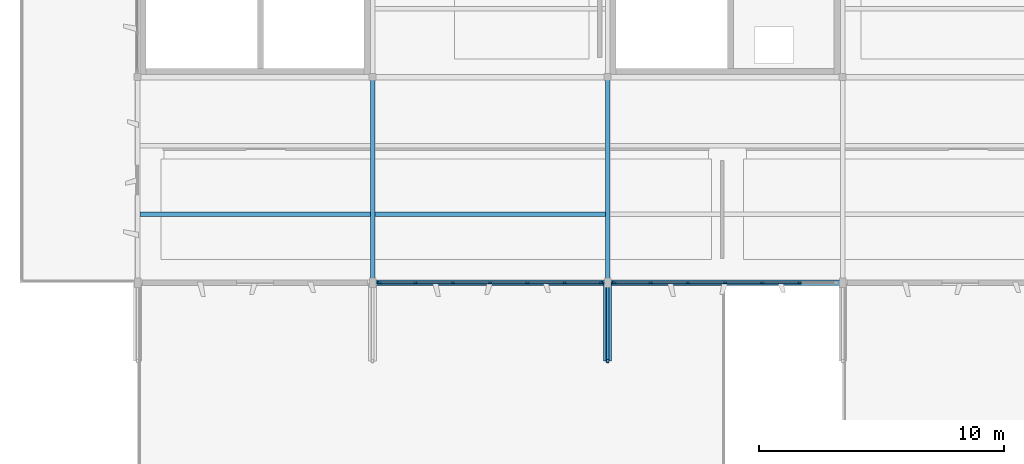
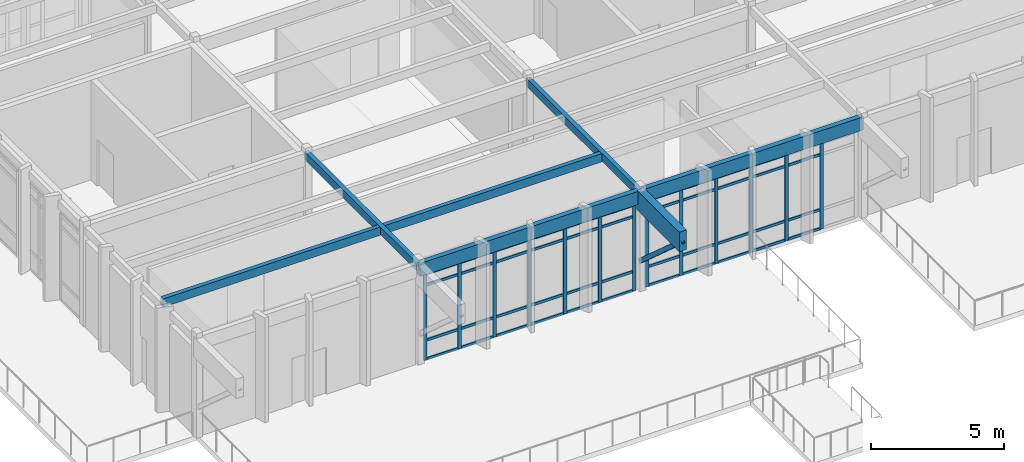
# One storey, part 2 of 19: 57 members, 7 beams, 2 elements without a shape of their own.
"""IFC4 building model written with IfcOpenShell, lengths in metres."""

from ifc_helpers import new_model, si_unit, direction, frame, origin, origin_2d, place, context, subcontext, project, spatial, rectangle, hollow_rectangle, extrude, material, layer, layer_set, material_profile, profile_set, type_object, element, aggregate, save


model = new_model("IFC4")

# Units and contexts
model_context = context("Model", 3, precision=1e-05, world=origin(), true_north=direction((0.0, 1.0)))
body_context = subcontext(model_context, "Body", "Model", "MODEL_VIEW")
ifc_project = project(units=[si_unit("LENGTHUNIT", "METRE"), si_unit("AREAUNIT", "SQUARE_METRE"), si_unit("VOLUMEUNIT", "CUBIC_METRE"), si_unit("PLANEANGLEUNIT", "RADIAN"), si_unit("MASSUNIT", "GRAM", prefix="KILO")], contexts=[model_context])

# Site, building, storey
site_placement = place(None, origin())
site = spatial("IfcSite", under=ifc_project, at=site_placement, CompositionType="ELEMENT")
building_placement = place(site_placement, origin())
building = spatial("IfcBuilding", under=site, at=building_placement, Name="Kolvemor Railside Polytechnic", CompositionType="ELEMENT")
storey_placement = place(building_placement, frame((0.0, 0.0, 27.0)))
storey = spatial("IfcBuildingStorey", under=building, at=storey_placement, Name="L06", CompositionType="ELEMENT", Elevation=27.0)

# Beams
ifc_material_1 = material(Name="Glulam GL28h", Category="wood")
ifc_material_profile_1 = material_profile(ifc_material_1, rectangle(XDim=0.31494140625, YDim=0.89990234375, at=origin_2d()), Name="GL315x900")
ifc_profile_set_1 = profile_set([ifc_material_profile_1], Name="Glulam GL28h")
beam_type_1 = type_object("IfcBeamType", Name="BM-GL-CANT", PredefinedType="BEAM", material=ifc_profile_set_1)
beam_1_placement = place(storey_placement, frame((86.39990234375, 10.0, 4.114990234375), z_axis=(0.0, 1.0, 0.0), x_axis=(-1.0, 0.0, 0.0)))
element("IfcBeam", 1, at=beam_1_placement, inside=storey, type_object=beam_type_1, Name="Cantilever Outrigger RF-GYC 1777", PredefinedType="BEAM", context=body_context, shape_type="SweptSolid", body=[
    extrude(rectangle(XDim=0.31494140625, YDim=0.89990234375, at=origin_2d()), origin(), (0.0, 0.0, 1.0), 3.199951171875),
])
ifc_material_2 = material(Name="Glulam GL28h", Category="wood")
ifc_material_profile_2 = material_profile(ifc_material_2, rectangle(XDim=0.215087890625, YDim=0.60009765625, at=origin_2d()), Name="GL215x600")
ifc_profile_set_2 = profile_set([ifc_material_profile_2], Name="Glulam GL28h")
beam_type_2 = type_object("IfcBeamType", Name="BM-GL-EAVE", PredefinedType="BEAM", material=ifc_profile_set_2)
beam_2_placement = place(storey_placement, frame((76.800048828125, 13.199951171875, 4.264892578125), z_axis=(1.0, 0.0, 0.0), x_axis=(0.0, 1.0, 0.0)))
element("IfcBeam", 2, at=beam_2_placement, inside=storey, type_object=beam_type_2, Name="Primary Girder RF-GX 1741", PredefinedType="BEAM", context=body_context, shape_type="SweptSolid", body=[
    extrude(rectangle(XDim=0.215087890625, YDim=0.60009765625, at=origin_2d()), origin(), (0.0, 0.0, 1.0), 9.599853515625),
])
beam_3_placement = place(storey_placement, frame((86.39990234375, 13.199951171875, 4.264892578125), z_axis=(1.0, 0.0, 0.0), x_axis=(0.0, 1.0, 0.0)))
element("IfcBeam", 3, at=beam_3_placement, inside=storey, type_object=beam_type_2, Name="Primary Girder RF-GX 1742", PredefinedType="BEAM", context=body_context, shape_type="SweptSolid", body=[
    extrude(rectangle(XDim=0.215087890625, YDim=0.60009765625, at=origin_2d()), origin(), (0.0, 0.0, 1.0), 9.60009765625),
])
ifc_material_3 = material(Name="Glulam GL28h", Category="wood")
ifc_material_profile_3 = material_profile(ifc_material_3, rectangle(XDim=0.18505859375, YDim=0.3798828125, at=origin_2d()), Name="GL185x380")
ifc_profile_set_3 = profile_set([ifc_material_profile_3], Name="Glulam GL28h")
beam_type_3 = type_object("IfcBeamType", Name="BM-GL-JST6", PredefinedType="JOIST", material=ifc_profile_set_3)
for number, where, z_axis, x_axis, name in (
    (4, (67.2919921875, 16.0, 4.375), (1.0, 0.0, 0.0), (0.0, 1.0, 0.0), "Floor Joist RF-J1802"),
    (5, (76.89208984375, 16.0, 4.375), (1.0, 0.0, 0.0), (0.0, 1.0, 0.0), "Floor Joist RF-J1806"),
):
    element("IfcBeam", number, at=place(storey_placement, frame(where, z_axis=z_axis, x_axis=x_axis)), inside=storey, type_object=beam_type_3, Name=name, PredefinedType="JOIST", context=body_context, shape_type="SweptSolid", body=[
        extrude(rectangle(XDim=0.18505859375, YDim=0.3798828125, at=origin_2d()), origin(), (0.0, 0.0, 1.0), 9.416015625),
    ])
ifc_material_4 = material(Name="Glulam GL28h", Category="wood")
ifc_material_profile_4 = material_profile(ifc_material_4, rectangle(XDim=0.18505859375, YDim=0.360107421875, at=origin_2d()), Name="GL185x360")
ifc_profile_set_4 = profile_set([ifc_material_profile_4], Name="Glulam GL28h")
beam_type_4 = type_object("IfcBeamType", Name="BM-GL-TRIM", PredefinedType="LINTEL", material=ifc_profile_set_4)
for number, where, z_axis, x_axis, name in (
    (6, (76.800048828125, 13.199951171875, 4.385009765625), (0.0, 1.0, 0.0), (-1.0, 0.0, 0.0), "Primary Girder RF-GY 1767"),
    (7, (86.39990234375, 13.199951171875, 4.385009765625), (0.0, 1.0, 0.0), (-1.0, 0.0, 0.0), "Primary Girder RF-GY 1774"),
):
    element("IfcBeam", number, at=place(storey_placement, frame(where, z_axis=z_axis, x_axis=x_axis)), inside=storey, type_object=beam_type_4, Name=name, PredefinedType="LINTEL", context=body_context, shape_type="SweptSolid", body=[
        extrude(rectangle(XDim=0.18505859375, YDim=0.360107421875, at=origin_2d()), origin(), (0.0, 0.0, 1.0), 8.400146484375),
    ])

# Curtain wall, members
ifc_material_5 = material(Name="Anodised marine aluminium and laminated low-E glass", Category="aluminium")
ifc_layer = layer(ifc_material_5, 0.179931640625, Name="CW-STICK-LIB")
ifc_layer_set = layer_set([ifc_layer], Name="Anodised marine aluminium and laminated low-E glass")
curtain_wall_type = type_object("IfcCurtainWallType", Name="CW-STICK-LIB", PredefinedType="USERDEFINED", material=ifc_layer_set)
curtain_wall_1_placement = place(storey_placement, origin())
curtain_wall_1 = element("IfcCurtainWall", 8, at=curtain_wall_1_placement, inside=storey, type_object=curtain_wall_type, Name="Curtain Wall L06-142", ObjectType="STICK GLAZED SCREEN", PredefinedType="USERDEFINED")
ifc_material_6 = material(Name="Anodised marine aluminium 6063-T6", Category="aluminium")
ifc_material_profile_5 = material_profile(ifc_material_6, rectangle(XDim=0.06494140625, YDim=0.14990234375, at=origin_2d()), Name="CW-MUL-65x150")
ifc_profile_set_5 = profile_set([ifc_material_profile_5], Name="Anodised marine aluminium 6063-T6")
member_type_1 = type_object("IfcMemberType", Name="CWM-65x150", PredefinedType="MULLION", material=ifc_profile_set_5)
member_1_placement = place(storey_placement, frame((77.072509765625, 13.199951171875, 0.0), z_axis=(0.0, 0.0, 1.0), x_axis=(0.0, 1.0, 0.0)))
member_1 = element("IfcMember", 9, at=member_1_placement, type_object=member_type_1, Name="CW-LIB mullion 1", PredefinedType="MULLION", context=body_context, shape_type="SweptSolid", body=[
    extrude(rectangle(XDim=0.06494140625, YDim=0.14990234375, at=origin_2d()), origin(), (0.0, 0.0, 1.0), 3.965087890625),
])
member_2_placement = place(storey_placement, frame((78.56005859375, 13.199951171875, 0.0), z_axis=(0.0, 0.0, 1.0), x_axis=(0.0, 1.0, 0.0)))
member_2 = element("IfcMember", 10, at=member_2_placement, type_object=member_type_1, Name="CW-LIB mullion 2", PredefinedType="MULLION", context=body_context, shape_type="SweptSolid", body=[
    extrude(rectangle(XDim=0.06494140625, YDim=0.14990234375, at=origin_2d()), origin(), (0.0, 0.0, 1.0), 3.965087890625),
])
member_3_placement = place(storey_placement, frame((80.080078125, 13.199951171875, 0.0), z_axis=(0.0, 0.0, 1.0), x_axis=(0.0, 1.0, 0.0)))
member_3 = element("IfcMember", 11, at=member_3_placement, type_object=member_type_1, Name="CW-LIB mullion 3", PredefinedType="MULLION", context=body_context, shape_type="SweptSolid", body=[
    extrude(rectangle(XDim=0.06494140625, YDim=0.14990234375, at=origin_2d()), origin(), (0.0, 0.0, 1.0), 3.965087890625),
])
member_4_placement = place(storey_placement, frame((81.60009765625, 13.199951171875, 0.0), z_axis=(0.0, 0.0, 1.0), x_axis=(0.0, 1.0, 0.0)))
member_4 = element("IfcMember", 12, at=member_4_placement, type_object=member_type_1, Name="CW-LIB mullion 4", PredefinedType="MULLION", context=body_context, shape_type="SweptSolid", body=[
    extrude(rectangle(XDim=0.06494140625, YDim=0.14990234375, at=origin_2d()), origin(), (0.0, 0.0, 1.0), 3.965087890625),
])
member_5_placement = place(storey_placement, frame((83.1201171875, 13.199951171875, 0.0), z_axis=(0.0, 0.0, 1.0), x_axis=(0.0, 1.0, 0.0)))
member_5 = element("IfcMember", 13, at=member_5_placement, type_object=member_type_1, Name="CW-LIB mullion 5", PredefinedType="MULLION", context=body_context, shape_type="SweptSolid", body=[
    extrude(rectangle(XDim=0.06494140625, YDim=0.14990234375, at=origin_2d()), origin(), (0.0, 0.0, 1.0), 3.965087890625),
])
member_6_placement = place(storey_placement, frame((84.639892578125, 13.199951171875, 0.0), z_axis=(0.0, 0.0, 1.0), x_axis=(0.0, 1.0, 0.0)))
member_6 = element("IfcMember", 14, at=member_6_placement, type_object=member_type_1, Name="CW-LIB mullion 6", PredefinedType="MULLION", context=body_context, shape_type="SweptSolid", body=[
    extrude(rectangle(XDim=0.06494140625, YDim=0.14990234375, at=origin_2d()), origin(), (0.0, 0.0, 1.0), 3.965087890625),
])
member_7_placement = place(storey_placement, frame((86.12744140625, 13.199951171875, 0.0), z_axis=(0.0, 0.0, 1.0), x_axis=(0.0, 1.0, 0.0)))
member_7 = element("IfcMember", 15, at=member_7_placement, type_object=member_type_1, Name="CW-LIB mullion 7", PredefinedType="MULLION", context=body_context, shape_type="SweptSolid", body=[
    extrude(rectangle(XDim=0.06494140625, YDim=0.14990234375, at=origin_2d()), origin(), (0.0, 0.0, 1.0), 3.965087890625),
])

curtain_wall_2_placement = place(storey_placement, origin())
curtain_wall_2 = element("IfcCurtainWall", 16, at=curtain_wall_2_placement, inside=storey, type_object=curtain_wall_type, Name="Curtain Wall L06-144", ObjectType="STICK GLAZED SCREEN", PredefinedType="USERDEFINED")
member_8_placement = place(storey_placement, frame((86.672607421875, 13.199951171875, 0.0), z_axis=(0.0, 0.0, 1.0), x_axis=(0.0, 1.0, 0.0)))
member_8 = element("IfcMember", 17, at=member_8_placement, type_object=member_type_1, Name="CW-LIB mullion 1", PredefinedType="MULLION", context=body_context, shape_type="SweptSolid", body=[
    extrude(rectangle(XDim=0.06494140625, YDim=0.14990234375, at=origin_2d()), origin(), (0.0, 0.0, 1.0), 3.965087890625),
])
member_9_placement = place(storey_placement, frame((88.159912109375, 13.199951171875, 0.0), z_axis=(0.0, 0.0, 1.0), x_axis=(0.0, 1.0, 0.0)))
member_9 = element("IfcMember", 18, at=member_9_placement, type_object=member_type_1, Name="CW-LIB mullion 2", PredefinedType="MULLION", context=body_context, shape_type="SweptSolid", body=[
    extrude(rectangle(XDim=0.06494140625, YDim=0.14990234375, at=origin_2d()), origin(), (0.0, 0.0, 1.0), 3.965087890625),
])
member_10_placement = place(storey_placement, frame((89.679931640625, 13.199951171875, 0.0), z_axis=(0.0, 0.0, 1.0), x_axis=(0.0, 1.0, 0.0)))
member_10 = element("IfcMember", 19, at=member_10_placement, type_object=member_type_1, Name="CW-LIB mullion 3", PredefinedType="MULLION", context=body_context, shape_type="SweptSolid", body=[
    extrude(rectangle(XDim=0.06494140625, YDim=0.14990234375, at=origin_2d()), origin(), (0.0, 0.0, 1.0), 3.965087890625),
])
member_11_placement = place(storey_placement, frame((91.199951171875, 13.199951171875, 0.0), z_axis=(0.0, 0.0, 1.0), x_axis=(0.0, 1.0, 0.0)))
member_11 = element("IfcMember", 20, at=member_11_placement, type_object=member_type_1, Name="CW-LIB mullion 4", PredefinedType="MULLION", context=body_context, shape_type="SweptSolid", body=[
    extrude(rectangle(XDim=0.06494140625, YDim=0.14990234375, at=origin_2d()), origin(), (0.0, 0.0, 1.0), 3.965087890625),
])
member_12_placement = place(storey_placement, frame((92.719970703125, 13.199951171875, 0.0), z_axis=(0.0, 0.0, 1.0), x_axis=(0.0, 1.0, 0.0)))
member_12 = element("IfcMember", 21, at=member_12_placement, type_object=member_type_1, Name="CW-LIB mullion 5", PredefinedType="MULLION", context=body_context, shape_type="SweptSolid", body=[
    extrude(rectangle(XDim=0.06494140625, YDim=0.14990234375, at=origin_2d()), origin(), (0.0, 0.0, 1.0), 3.965087890625),
])
member_13_placement = place(storey_placement, frame((94.239990234375, 13.199951171875, 0.0), z_axis=(0.0, 0.0, 1.0), x_axis=(0.0, 1.0, 0.0)))
member_13 = element("IfcMember", 22, at=member_13_placement, type_object=member_type_1, Name="CW-LIB mullion 6", PredefinedType="MULLION", context=body_context, shape_type="SweptSolid", body=[
    extrude(rectangle(XDim=0.06494140625, YDim=0.14990234375, at=origin_2d()), origin(), (0.0, 0.0, 1.0), 3.965087890625),
])

# Member
ifc_material_7 = material(Name="Anodised marine aluminium 6063-T6", Category="aluminium")
ifc_material_profile_6 = material_profile(ifc_material_7, rectangle(XDim=0.06494140625, YDim=0.1201171875, at=origin_2d()), Name="CW-TRN-65x120")
ifc_profile_set_6 = profile_set([ifc_material_profile_6], Name="Anodised marine aluminium 6063-T6")
member_type_2 = type_object("IfcMemberType", Name="CWT-65x120", PredefinedType="USERDEFINED", material=ifc_profile_set_6)
member_14_placement = place(storey_placement, frame((77.10498046875, 13.199951171875, 0.032470703125), z_axis=(1.0, 0.0, 0.0), x_axis=(0.0, 1.0, 0.0)))
member_14 = element("IfcMember", 23, at=member_14_placement, type_object=member_type_2, Name="CW-LIB transom 1.1", ObjectType="TRANSOM", PredefinedType="USERDEFINED", context=body_context, shape_type="SweptSolid", body=[
    extrude(rectangle(XDim=0.06494140625, YDim=0.1201171875, at=origin_2d()), origin(), (0.0, 0.0, 1.0), 1.422607421875),
])

member_15_placement = place(storey_placement, frame((77.10498046875, 13.199951171875, 0.89990234375), z_axis=(1.0, 0.0, 0.0), x_axis=(0.0, 1.0, 0.0)))
member_15 = element("IfcMember", 24, at=member_15_placement, type_object=member_type_2, Name="CW-LIB transom 1.2", ObjectType="TRANSOM", PredefinedType="USERDEFINED", context=body_context, shape_type="SweptSolid", body=[
    extrude(rectangle(XDim=0.06494140625, YDim=0.1201171875, at=origin_2d()), origin(), (0.0, 0.0, 1.0), 1.422607421875),
])

member_16_placement = place(storey_placement, frame((77.10498046875, 13.199951171875, 3.4150390625), z_axis=(1.0, 0.0, 0.0), x_axis=(0.0, 1.0, 0.0)))
member_16 = element("IfcMember", 25, at=member_16_placement, type_object=member_type_2, Name="CW-LIB transom 1.3", ObjectType="TRANSOM", PredefinedType="USERDEFINED", context=body_context, shape_type="SweptSolid", body=[
    extrude(rectangle(XDim=0.06494140625, YDim=0.1201171875, at=origin_2d()), origin(), (0.0, 0.0, 1.0), 1.422607421875),
])

member_17_placement = place(storey_placement, frame((77.10498046875, 13.199951171875, 3.9326171875), z_axis=(1.0, 0.0, 0.0), x_axis=(0.0, 1.0, 0.0)))
member_17 = element("IfcMember", 26, at=member_17_placement, type_object=member_type_2, Name="CW-LIB transom 1.4", ObjectType="TRANSOM", PredefinedType="USERDEFINED", context=body_context, shape_type="SweptSolid", body=[
    extrude(rectangle(XDim=0.06494140625, YDim=0.1201171875, at=origin_2d()), origin(), (0.0, 0.0, 1.0), 1.422607421875),
])

member_18_placement = place(storey_placement, frame((78.592529296875, 13.199951171875, 0.032470703125), z_axis=(1.0, 0.0, 0.0), x_axis=(0.0, 1.0, 0.0)))
member_18 = element("IfcMember", 27, at=member_18_placement, type_object=member_type_2, Name="CW-LIB transom 2.1", ObjectType="TRANSOM", PredefinedType="USERDEFINED", context=body_context, shape_type="SweptSolid", body=[
    extrude(rectangle(XDim=0.06494140625, YDim=0.1201171875, at=origin_2d()), origin(), (0.0, 0.0, 1.0), 1.455078125),
])

member_19_placement = place(storey_placement, frame((78.592529296875, 13.199951171875, 0.89990234375), z_axis=(1.0, 0.0, 0.0), x_axis=(0.0, 1.0, 0.0)))
member_19 = element("IfcMember", 28, at=member_19_placement, type_object=member_type_2, Name="CW-LIB transom 2.2", ObjectType="TRANSOM", PredefinedType="USERDEFINED", context=body_context, shape_type="SweptSolid", body=[
    extrude(rectangle(XDim=0.06494140625, YDim=0.1201171875, at=origin_2d()), origin(), (0.0, 0.0, 1.0), 1.455078125),
])

member_20_placement = place(storey_placement, frame((78.592529296875, 13.199951171875, 3.4150390625), z_axis=(1.0, 0.0, 0.0), x_axis=(0.0, 1.0, 0.0)))
member_20 = element("IfcMember", 29, at=member_20_placement, type_object=member_type_2, Name="CW-LIB transom 2.3", ObjectType="TRANSOM", PredefinedType="USERDEFINED", context=body_context, shape_type="SweptSolid", body=[
    extrude(rectangle(XDim=0.06494140625, YDim=0.1201171875, at=origin_2d()), origin(), (0.0, 0.0, 1.0), 1.455078125),
])

member_21_placement = place(storey_placement, frame((78.592529296875, 13.199951171875, 3.9326171875), z_axis=(1.0, 0.0, 0.0), x_axis=(0.0, 1.0, 0.0)))
member_21 = element("IfcMember", 30, at=member_21_placement, type_object=member_type_2, Name="CW-LIB transom 2.4", ObjectType="TRANSOM", PredefinedType="USERDEFINED", context=body_context, shape_type="SweptSolid", body=[
    extrude(rectangle(XDim=0.06494140625, YDim=0.1201171875, at=origin_2d()), origin(), (0.0, 0.0, 1.0), 1.455078125),
])

member_22_placement = place(storey_placement, frame((80.112548828125, 13.199951171875, 0.032470703125), z_axis=(1.0, 0.0, 0.0), x_axis=(0.0, 1.0, 0.0)))
member_22 = element("IfcMember", 31, at=member_22_placement, type_object=member_type_2, Name="CW-LIB transom 3.1", ObjectType="TRANSOM", PredefinedType="USERDEFINED", context=body_context, shape_type="SweptSolid", body=[
    extrude(rectangle(XDim=0.06494140625, YDim=0.1201171875, at=origin_2d()), origin(), (0.0, 0.0, 1.0), 1.454833984375),
])

member_23_placement = place(storey_placement, frame((80.112548828125, 13.199951171875, 0.89990234375), z_axis=(1.0, 0.0, 0.0), x_axis=(0.0, 1.0, 0.0)))
member_23 = element("IfcMember", 32, at=member_23_placement, type_object=member_type_2, Name="CW-LIB transom 3.2", ObjectType="TRANSOM", PredefinedType="USERDEFINED", context=body_context, shape_type="SweptSolid", body=[
    extrude(rectangle(XDim=0.06494140625, YDim=0.1201171875, at=origin_2d()), origin(), (0.0, 0.0, 1.0), 1.454833984375),
])

member_24_placement = place(storey_placement, frame((80.112548828125, 13.199951171875, 3.4150390625), z_axis=(1.0, 0.0, 0.0), x_axis=(0.0, 1.0, 0.0)))
member_24 = element("IfcMember", 33, at=member_24_placement, type_object=member_type_2, Name="CW-LIB transom 3.3", ObjectType="TRANSOM", PredefinedType="USERDEFINED", context=body_context, shape_type="SweptSolid", body=[
    extrude(rectangle(XDim=0.06494140625, YDim=0.1201171875, at=origin_2d()), origin(), (0.0, 0.0, 1.0), 1.454833984375),
])

member_25_placement = place(storey_placement, frame((80.112548828125, 13.199951171875, 3.9326171875), z_axis=(1.0, 0.0, 0.0), x_axis=(0.0, 1.0, 0.0)))
member_25 = element("IfcMember", 34, at=member_25_placement, type_object=member_type_2, Name="CW-LIB transom 3.4", ObjectType="TRANSOM", PredefinedType="USERDEFINED", context=body_context, shape_type="SweptSolid", body=[
    extrude(rectangle(XDim=0.06494140625, YDim=0.1201171875, at=origin_2d()), origin(), (0.0, 0.0, 1.0), 1.454833984375),
])

member_26_placement = place(storey_placement, frame((81.632568359375, 13.199951171875, 0.032470703125), z_axis=(1.0, 0.0, 0.0), x_axis=(0.0, 1.0, 0.0)))
member_26 = element("IfcMember", 35, at=member_26_placement, type_object=member_type_2, Name="CW-LIB transom 4.1", ObjectType="TRANSOM", PredefinedType="USERDEFINED", context=body_context, shape_type="SweptSolid", body=[
    extrude(rectangle(XDim=0.06494140625, YDim=0.1201171875, at=origin_2d()), origin(), (0.0, 0.0, 1.0), 1.454833984375),
])

member_27_placement = place(storey_placement, frame((81.632568359375, 13.199951171875, 0.89990234375), z_axis=(1.0, 0.0, 0.0), x_axis=(0.0, 1.0, 0.0)))
member_27 = element("IfcMember", 36, at=member_27_placement, type_object=member_type_2, Name="CW-LIB transom 4.2", ObjectType="TRANSOM", PredefinedType="USERDEFINED", context=body_context, shape_type="SweptSolid", body=[
    extrude(rectangle(XDim=0.06494140625, YDim=0.1201171875, at=origin_2d()), origin(), (0.0, 0.0, 1.0), 1.454833984375),
])

member_28_placement = place(storey_placement, frame((81.632568359375, 13.199951171875, 3.4150390625), z_axis=(1.0, 0.0, 0.0), x_axis=(0.0, 1.0, 0.0)))
member_28 = element("IfcMember", 37, at=member_28_placement, type_object=member_type_2, Name="CW-LIB transom 4.3", ObjectType="TRANSOM", PredefinedType="USERDEFINED", context=body_context, shape_type="SweptSolid", body=[
    extrude(rectangle(XDim=0.06494140625, YDim=0.1201171875, at=origin_2d()), origin(), (0.0, 0.0, 1.0), 1.454833984375),
])

member_29_placement = place(storey_placement, frame((81.632568359375, 13.199951171875, 3.9326171875), z_axis=(1.0, 0.0, 0.0), x_axis=(0.0, 1.0, 0.0)))
member_29 = element("IfcMember", 38, at=member_29_placement, type_object=member_type_2, Name="CW-LIB transom 4.4", ObjectType="TRANSOM", PredefinedType="USERDEFINED", context=body_context, shape_type="SweptSolid", body=[
    extrude(rectangle(XDim=0.06494140625, YDim=0.1201171875, at=origin_2d()), origin(), (0.0, 0.0, 1.0), 1.454833984375),
])

member_30_placement = place(storey_placement, frame((83.152587890625, 13.199951171875, 0.032470703125), z_axis=(1.0, 0.0, 0.0), x_axis=(0.0, 1.0, 0.0)))
member_30 = element("IfcMember", 39, at=member_30_placement, type_object=member_type_2, Name="CW-LIB transom 5.1", ObjectType="TRANSOM", PredefinedType="USERDEFINED", context=body_context, shape_type="SweptSolid", body=[
    extrude(rectangle(XDim=0.06494140625, YDim=0.1201171875, at=origin_2d()), origin(), (0.0, 0.0, 1.0), 1.454833984375),
])

member_31_placement = place(storey_placement, frame((83.152587890625, 13.199951171875, 0.89990234375), z_axis=(1.0, 0.0, 0.0), x_axis=(0.0, 1.0, 0.0)))
member_31 = element("IfcMember", 40, at=member_31_placement, type_object=member_type_2, Name="CW-LIB transom 5.2", ObjectType="TRANSOM", PredefinedType="USERDEFINED", context=body_context, shape_type="SweptSolid", body=[
    extrude(rectangle(XDim=0.06494140625, YDim=0.1201171875, at=origin_2d()), origin(), (0.0, 0.0, 1.0), 1.454833984375),
])

member_32_placement = place(storey_placement, frame((83.152587890625, 13.199951171875, 3.4150390625), z_axis=(1.0, 0.0, 0.0), x_axis=(0.0, 1.0, 0.0)))
member_32 = element("IfcMember", 41, at=member_32_placement, type_object=member_type_2, Name="CW-LIB transom 5.3", ObjectType="TRANSOM", PredefinedType="USERDEFINED", context=body_context, shape_type="SweptSolid", body=[
    extrude(rectangle(XDim=0.06494140625, YDim=0.1201171875, at=origin_2d()), origin(), (0.0, 0.0, 1.0), 1.454833984375),
])

member_33_placement = place(storey_placement, frame((83.152587890625, 13.199951171875, 3.9326171875), z_axis=(1.0, 0.0, 0.0), x_axis=(0.0, 1.0, 0.0)))
member_33 = element("IfcMember", 42, at=member_33_placement, type_object=member_type_2, Name="CW-LIB transom 5.4", ObjectType="TRANSOM", PredefinedType="USERDEFINED", context=body_context, shape_type="SweptSolid", body=[
    extrude(rectangle(XDim=0.06494140625, YDim=0.1201171875, at=origin_2d()), origin(), (0.0, 0.0, 1.0), 1.454833984375),
])

member_34_placement = place(storey_placement, frame((84.672607421875, 13.199951171875, 0.032470703125), z_axis=(1.0, 0.0, 0.0), x_axis=(0.0, 1.0, 0.0)))
member_34 = element("IfcMember", 43, at=member_34_placement, type_object=member_type_2, Name="CW-LIB transom 6.1", ObjectType="TRANSOM", PredefinedType="USERDEFINED", context=body_context, shape_type="SweptSolid", body=[
    extrude(rectangle(XDim=0.06494140625, YDim=0.1201171875, at=origin_2d()), origin(), (0.0, 0.0, 1.0), 1.42236328125),
])

member_35_placement = place(storey_placement, frame((84.672607421875, 13.199951171875, 0.89990234375), z_axis=(1.0, 0.0, 0.0), x_axis=(0.0, 1.0, 0.0)))
member_35 = element("IfcMember", 44, at=member_35_placement, type_object=member_type_2, Name="CW-LIB transom 6.2", ObjectType="TRANSOM", PredefinedType="USERDEFINED", context=body_context, shape_type="SweptSolid", body=[
    extrude(rectangle(XDim=0.06494140625, YDim=0.1201171875, at=origin_2d()), origin(), (0.0, 0.0, 1.0), 1.42236328125),
])

member_36_placement = place(storey_placement, frame((84.672607421875, 13.199951171875, 3.4150390625), z_axis=(1.0, 0.0, 0.0), x_axis=(0.0, 1.0, 0.0)))
member_36 = element("IfcMember", 45, at=member_36_placement, type_object=member_type_2, Name="CW-LIB transom 6.3", ObjectType="TRANSOM", PredefinedType="USERDEFINED", context=body_context, shape_type="SweptSolid", body=[
    extrude(rectangle(XDim=0.06494140625, YDim=0.1201171875, at=origin_2d()), origin(), (0.0, 0.0, 1.0), 1.42236328125),
])

member_37_placement = place(storey_placement, frame((84.672607421875, 13.199951171875, 3.9326171875), z_axis=(1.0, 0.0, 0.0), x_axis=(0.0, 1.0, 0.0)))
member_37 = element("IfcMember", 46, at=member_37_placement, type_object=member_type_2, Name="CW-LIB transom 6.4", ObjectType="TRANSOM", PredefinedType="USERDEFINED", context=body_context, shape_type="SweptSolid", body=[
    extrude(rectangle(XDim=0.06494140625, YDim=0.1201171875, at=origin_2d()), origin(), (0.0, 0.0, 1.0), 1.42236328125),
])

aggregate(curtain_wall_1, [member_1, member_2, member_3, member_4, member_5, member_6, member_7, member_14, member_15, member_16, member_17, member_18, member_19, member_20, member_21, member_22, member_23, member_24, member_25, member_26, member_27, member_28, member_29, member_30, member_31, member_32, member_33, member_34, member_35, member_36, member_37])

member_38_placement = place(storey_placement, frame((86.705078125, 13.199951171875, 0.032470703125), z_axis=(1.0, 0.0, 0.0), x_axis=(0.0, 1.0, 0.0)))
member_38 = element("IfcMember", 47, at=member_38_placement, type_object=member_type_2, Name="CW-LIB transom 1.1", ObjectType="TRANSOM", PredefinedType="USERDEFINED", context=body_context, shape_type="SweptSolid", body=[
    extrude(rectangle(XDim=0.06494140625, YDim=0.1201171875, at=origin_2d()), origin(), (0.0, 0.0, 1.0), 1.42236328125),
])

member_39_placement = place(storey_placement, frame((86.705078125, 13.199951171875, 0.89990234375), z_axis=(1.0, 0.0, 0.0), x_axis=(0.0, 1.0, 0.0)))
member_39 = element("IfcMember", 48, at=member_39_placement, type_object=member_type_2, Name="CW-LIB transom 1.2", ObjectType="TRANSOM", PredefinedType="USERDEFINED", context=body_context, shape_type="SweptSolid", body=[
    extrude(rectangle(XDim=0.06494140625, YDim=0.1201171875, at=origin_2d()), origin(), (0.0, 0.0, 1.0), 1.42236328125),
])

member_40_placement = place(storey_placement, frame((86.705078125, 13.199951171875, 3.4150390625), z_axis=(1.0, 0.0, 0.0), x_axis=(0.0, 1.0, 0.0)))
member_40 = element("IfcMember", 49, at=member_40_placement, type_object=member_type_2, Name="CW-LIB transom 1.3", ObjectType="TRANSOM", PredefinedType="USERDEFINED", context=body_context, shape_type="SweptSolid", body=[
    extrude(rectangle(XDim=0.06494140625, YDim=0.1201171875, at=origin_2d()), origin(), (0.0, 0.0, 1.0), 1.42236328125),
])

member_41_placement = place(storey_placement, frame((86.705078125, 13.199951171875, 3.9326171875), z_axis=(1.0, 0.0, 0.0), x_axis=(0.0, 1.0, 0.0)))
member_41 = element("IfcMember", 50, at=member_41_placement, type_object=member_type_2, Name="CW-LIB transom 1.4", ObjectType="TRANSOM", PredefinedType="USERDEFINED", context=body_context, shape_type="SweptSolid", body=[
    extrude(rectangle(XDim=0.06494140625, YDim=0.1201171875, at=origin_2d()), origin(), (0.0, 0.0, 1.0), 1.42236328125),
])

member_42_placement = place(storey_placement, frame((88.1923828125, 13.199951171875, 0.032470703125), z_axis=(1.0, 0.0, 0.0), x_axis=(0.0, 1.0, 0.0)))
member_42 = element("IfcMember", 51, at=member_42_placement, type_object=member_type_2, Name="CW-LIB transom 2.1", ObjectType="TRANSOM", PredefinedType="USERDEFINED", context=body_context, shape_type="SweptSolid", body=[
    extrude(rectangle(XDim=0.06494140625, YDim=0.1201171875, at=origin_2d()), origin(), (0.0, 0.0, 1.0), 1.455078125),
])

member_43_placement = place(storey_placement, frame((88.1923828125, 13.199951171875, 0.89990234375), z_axis=(1.0, 0.0, 0.0), x_axis=(0.0, 1.0, 0.0)))
member_43 = element("IfcMember", 52, at=member_43_placement, type_object=member_type_2, Name="CW-LIB transom 2.2", ObjectType="TRANSOM", PredefinedType="USERDEFINED", context=body_context, shape_type="SweptSolid", body=[
    extrude(rectangle(XDim=0.06494140625, YDim=0.1201171875, at=origin_2d()), origin(), (0.0, 0.0, 1.0), 1.455078125),
])

member_44_placement = place(storey_placement, frame((88.1923828125, 13.199951171875, 3.4150390625), z_axis=(1.0, 0.0, 0.0), x_axis=(0.0, 1.0, 0.0)))
member_44 = element("IfcMember", 53, at=member_44_placement, type_object=member_type_2, Name="CW-LIB transom 2.3", ObjectType="TRANSOM", PredefinedType="USERDEFINED", context=body_context, shape_type="SweptSolid", body=[
    extrude(rectangle(XDim=0.06494140625, YDim=0.1201171875, at=origin_2d()), origin(), (0.0, 0.0, 1.0), 1.455078125),
])

member_45_placement = place(storey_placement, frame((88.1923828125, 13.199951171875, 3.9326171875), z_axis=(1.0, 0.0, 0.0), x_axis=(0.0, 1.0, 0.0)))
member_45 = element("IfcMember", 54, at=member_45_placement, type_object=member_type_2, Name="CW-LIB transom 2.4", ObjectType="TRANSOM", PredefinedType="USERDEFINED", context=body_context, shape_type="SweptSolid", body=[
    extrude(rectangle(XDim=0.06494140625, YDim=0.1201171875, at=origin_2d()), origin(), (0.0, 0.0, 1.0), 1.455078125),
])

member_46_placement = place(storey_placement, frame((89.71240234375, 13.199951171875, 0.032470703125), z_axis=(1.0, 0.0, 0.0), x_axis=(0.0, 1.0, 0.0)))
member_46 = element("IfcMember", 55, at=member_46_placement, type_object=member_type_2, Name="CW-LIB transom 3.1", ObjectType="TRANSOM", PredefinedType="USERDEFINED", context=body_context, shape_type="SweptSolid", body=[
    extrude(rectangle(XDim=0.06494140625, YDim=0.1201171875, at=origin_2d()), origin(), (0.0, 0.0, 1.0), 1.455078125),
])

member_47_placement = place(storey_placement, frame((89.71240234375, 13.199951171875, 0.89990234375), z_axis=(1.0, 0.0, 0.0), x_axis=(0.0, 1.0, 0.0)))
member_47 = element("IfcMember", 56, at=member_47_placement, type_object=member_type_2, Name="CW-LIB transom 3.2", ObjectType="TRANSOM", PredefinedType="USERDEFINED", context=body_context, shape_type="SweptSolid", body=[
    extrude(rectangle(XDim=0.06494140625, YDim=0.1201171875, at=origin_2d()), origin(), (0.0, 0.0, 1.0), 1.455078125),
])

member_48_placement = place(storey_placement, frame((89.71240234375, 13.199951171875, 3.4150390625), z_axis=(1.0, 0.0, 0.0), x_axis=(0.0, 1.0, 0.0)))
member_48 = element("IfcMember", 57, at=member_48_placement, type_object=member_type_2, Name="CW-LIB transom 3.3", ObjectType="TRANSOM", PredefinedType="USERDEFINED", context=body_context, shape_type="SweptSolid", body=[
    extrude(rectangle(XDim=0.06494140625, YDim=0.1201171875, at=origin_2d()), origin(), (0.0, 0.0, 1.0), 1.455078125),
])

member_49_placement = place(storey_placement, frame((89.71240234375, 13.199951171875, 3.9326171875), z_axis=(1.0, 0.0, 0.0), x_axis=(0.0, 1.0, 0.0)))
member_49 = element("IfcMember", 58, at=member_49_placement, type_object=member_type_2, Name="CW-LIB transom 3.4", ObjectType="TRANSOM", PredefinedType="USERDEFINED", context=body_context, shape_type="SweptSolid", body=[
    extrude(rectangle(XDim=0.06494140625, YDim=0.1201171875, at=origin_2d()), origin(), (0.0, 0.0, 1.0), 1.455078125),
])

member_50_placement = place(storey_placement, frame((91.232421875, 13.199951171875, 0.032470703125), z_axis=(1.0, 0.0, 0.0), x_axis=(0.0, 1.0, 0.0)))
member_50 = element("IfcMember", 59, at=member_50_placement, type_object=member_type_2, Name="CW-LIB transom 4.1", ObjectType="TRANSOM", PredefinedType="USERDEFINED", context=body_context, shape_type="SweptSolid", body=[
    extrude(rectangle(XDim=0.06494140625, YDim=0.1201171875, at=origin_2d()), origin(), (0.0, 0.0, 1.0), 1.455078125),
])

member_51_placement = place(storey_placement, frame((91.232421875, 13.199951171875, 0.89990234375), z_axis=(1.0, 0.0, 0.0), x_axis=(0.0, 1.0, 0.0)))
member_51 = element("IfcMember", 60, at=member_51_placement, type_object=member_type_2, Name="CW-LIB transom 4.2", ObjectType="TRANSOM", PredefinedType="USERDEFINED", context=body_context, shape_type="SweptSolid", body=[
    extrude(rectangle(XDim=0.06494140625, YDim=0.1201171875, at=origin_2d()), origin(), (0.0, 0.0, 1.0), 1.455078125),
])

member_52_placement = place(storey_placement, frame((91.232421875, 13.199951171875, 3.4150390625), z_axis=(1.0, 0.0, 0.0), x_axis=(0.0, 1.0, 0.0)))
member_52 = element("IfcMember", 61, at=member_52_placement, type_object=member_type_2, Name="CW-LIB transom 4.3", ObjectType="TRANSOM", PredefinedType="USERDEFINED", context=body_context, shape_type="SweptSolid", body=[
    extrude(rectangle(XDim=0.06494140625, YDim=0.1201171875, at=origin_2d()), origin(), (0.0, 0.0, 1.0), 1.455078125),
])

member_53_placement = place(storey_placement, frame((91.232421875, 13.199951171875, 3.9326171875), z_axis=(1.0, 0.0, 0.0), x_axis=(0.0, 1.0, 0.0)))
member_53 = element("IfcMember", 62, at=member_53_placement, type_object=member_type_2, Name="CW-LIB transom 4.4", ObjectType="TRANSOM", PredefinedType="USERDEFINED", context=body_context, shape_type="SweptSolid", body=[
    extrude(rectangle(XDim=0.06494140625, YDim=0.1201171875, at=origin_2d()), origin(), (0.0, 0.0, 1.0), 1.455078125),
])

member_54_placement = place(storey_placement, frame((92.75244140625, 13.199951171875, 0.032470703125), z_axis=(1.0, 0.0, 0.0), x_axis=(0.0, 1.0, 0.0)))
member_54 = element("IfcMember", 63, at=member_54_placement, type_object=member_type_2, Name="CW-LIB transom 5.1", ObjectType="TRANSOM", PredefinedType="USERDEFINED", context=body_context, shape_type="SweptSolid", body=[
    extrude(rectangle(XDim=0.06494140625, YDim=0.1201171875, at=origin_2d()), origin(), (0.0, 0.0, 1.0), 1.455078125),
])

member_55_placement = place(storey_placement, frame((92.75244140625, 13.199951171875, 0.89990234375), z_axis=(1.0, 0.0, 0.0), x_axis=(0.0, 1.0, 0.0)))
member_55 = element("IfcMember", 64, at=member_55_placement, type_object=member_type_2, Name="CW-LIB transom 5.2", ObjectType="TRANSOM", PredefinedType="USERDEFINED", context=body_context, shape_type="SweptSolid", body=[
    extrude(rectangle(XDim=0.06494140625, YDim=0.1201171875, at=origin_2d()), origin(), (0.0, 0.0, 1.0), 1.455078125),
])

member_56_placement = place(storey_placement, frame((92.75244140625, 13.199951171875, 3.4150390625), z_axis=(1.0, 0.0, 0.0), x_axis=(0.0, 1.0, 0.0)))
member_56 = element("IfcMember", 65, at=member_56_placement, type_object=member_type_2, Name="CW-LIB transom 5.3", ObjectType="TRANSOM", PredefinedType="USERDEFINED", context=body_context, shape_type="SweptSolid", body=[
    extrude(rectangle(XDim=0.06494140625, YDim=0.1201171875, at=origin_2d()), origin(), (0.0, 0.0, 1.0), 1.455078125),
])

aggregate(curtain_wall_2, [member_8, member_9, member_10, member_11, member_12, member_13, member_38, member_39, member_40, member_41, member_42, member_43, member_44, member_45, member_46, member_47, member_48, member_49, member_50, member_51, member_52, member_53, member_54, member_55, member_56])

ifc_material_8 = material(Name="Steel S355", Category="steel")
ifc_material_profile_7 = material_profile(ifc_material_8, hollow_rectangle(XDim=0.1201171875, YDim=0.199951171875, WallThickness=0.008056640625, InnerFilletRadius=0.008056640625, OuterFilletRadius=0.01611328125, at=origin_2d()), Name="HSS200x120x8")
ifc_profile_set_7 = profile_set([ifc_material_profile_7], Name="Steel S355")
member_type_3 = type_object("IfcMemberType", Name="MEM-BR-HSS2", PredefinedType="BRACE", material=ifc_profile_set_7)
member_57_placement = place(storey_placement, frame((86.39990234375, 13.199951171875, 1.264892578125), z_axis=(0.0, -0.746748845489, 0.665106128194), x_axis=(1.0, 0.0, 0.0)))
element("IfcMember", 66, at=member_57_placement, inside=storey, type_object=member_type_3, Name="Overhang Knee Strut RF-KS1778", PredefinedType="BRACE", context=body_context, shape_type="SweptSolid", body=[
    extrude(hollow_rectangle(XDim=0.1201171875, YDim=0.199951171875, WallThickness=0.008056640625, InnerFilletRadius=0.008056640625, OuterFilletRadius=0.01611328125, at=origin_2d()), origin(), (0.0, 0.0, 1.0), 4.28515625),
])

save(model, "model.ifc")
